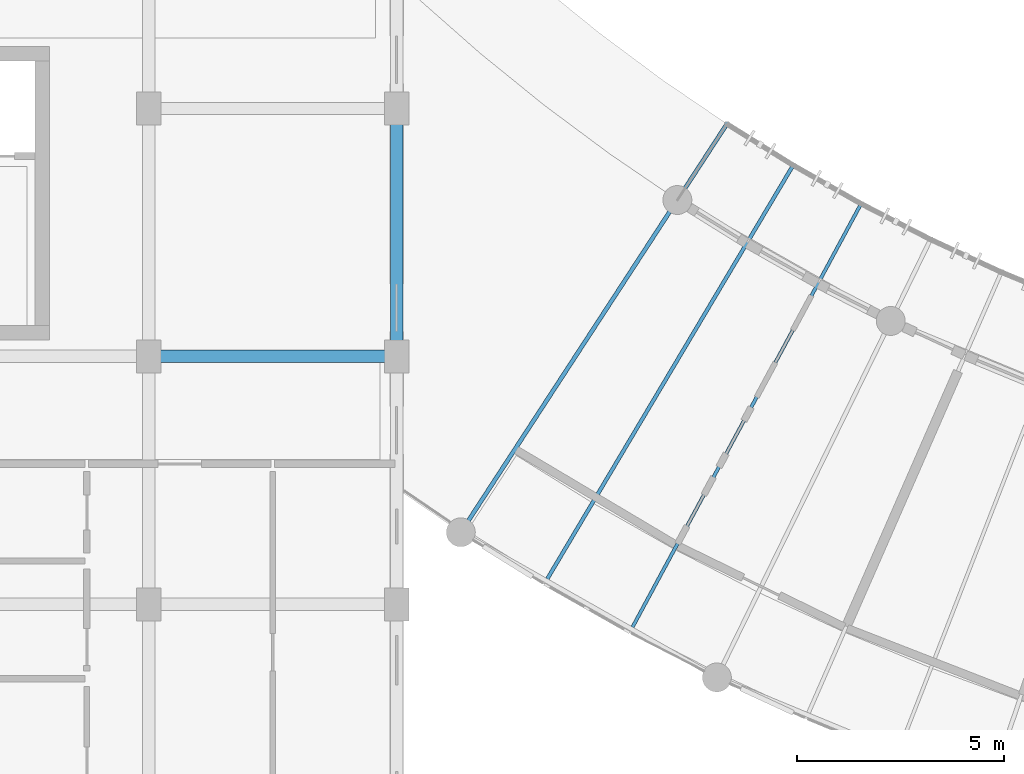
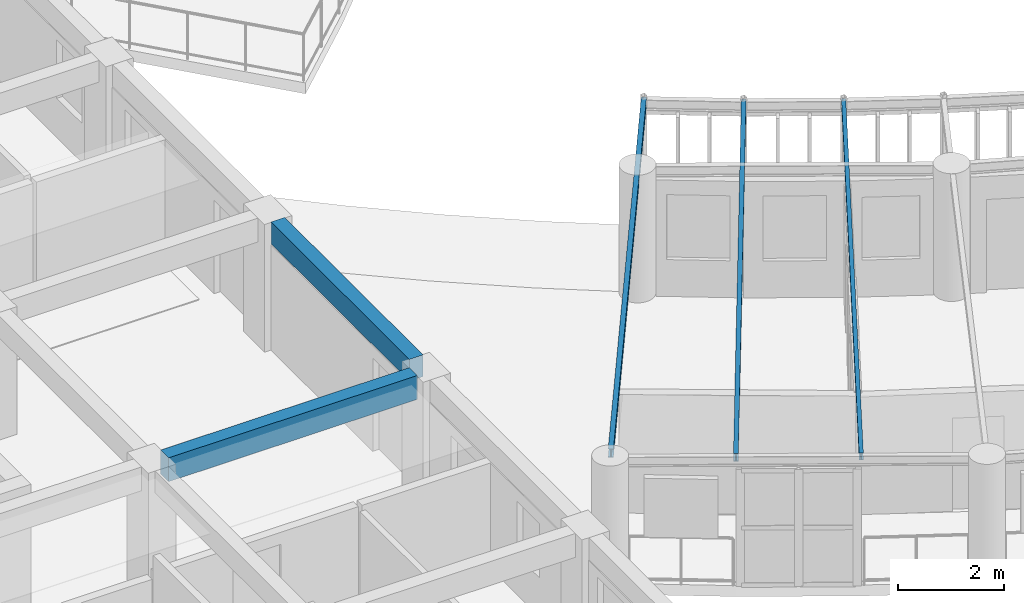
# One storey, part 17 of 137: 5 beams.
"""IFC4 building model written with IfcOpenShell, lengths in metres."""

from ifc_helpers import new_model, si_unit, direction, frame, origin, origin_2d, place, context, subcontext, project, spatial, rectangle, i_section, extrude, material, material_profile, profile_set, type_object, element, save


model = new_model("IFC4")

# Units and contexts
model_context = context("Model", 3, precision=1e-05, world=origin(), true_north=direction((0.0, 1.0)))
body_context = subcontext(model_context, "Body", "Model", "MODEL_VIEW")
ifc_project = project(units=[si_unit("LENGTHUNIT", "METRE"), si_unit("AREAUNIT", "SQUARE_METRE"), si_unit("VOLUMEUNIT", "CUBIC_METRE"), si_unit("PLANEANGLEUNIT", "RADIAN"), si_unit("MASSUNIT", "GRAM", prefix="KILO"), si_unit("POWERUNIT", "WATT"), si_unit("THERMODYNAMICTEMPERATUREUNIT", "KELVIN")], contexts=[model_context])

# Site, building, storey
site_placement = place(None, origin())
site = spatial("IfcSite", under=ifc_project, at=site_placement, CompositionType="ELEMENT")
building_placement = place(site_placement, origin())
building = spatial("IfcBuilding", under=site, at=building_placement, Name="Ruvembo Vaulted Housing Court", CompositionType="ELEMENT")
storey_placement = place(building_placement, frame((0.0, 0.0, 4.5)))
storey = spatial("IfcBuildingStorey", under=building, at=storey_placement, Name="L01", CompositionType="ELEMENT", Elevation=4.5)

# Beams
ifc_material_1 = material(Name="Concrete C35/45", Category="concrete")
ifc_material_profile_1 = material_profile(ifc_material_1, rectangle(XDim=0.300048828125, YDim=0.550048828125, at=origin_2d()), Name="RC 300x550")
ifc_profile_set_1 = profile_set([ifc_material_profile_1], Name="Concrete C35/45")
beam_type_1 = type_object("IfcBeamType", Name="BM-RC-300x550", PredefinedType="BEAM", material=ifc_profile_set_1)
beam_1_placement = place(storey_placement, frame((30.284912109375, 18.0, 2.669921875), z_axis=(1.0, 0.0, 0.0), x_axis=(0.0, 1.0, 0.0)))
element("IfcBeam", 1, at=beam_1_placement, inside=storey, type_object=beam_type_1, Name="L01 Grid Beam X #1171", PredefinedType="BEAM", context=body_context, shape_type="SweptSolid", body=[
    extrude(rectangle(XDim=0.300048828125, YDim=0.550048828125, at=origin_2d()), origin(), (0.0, 0.0, 1.0), 5.43017578125),
])
ifc_material_2 = material(Name="Steel S355J2", Category="steel")
ifc_material_profile_2 = material_profile(ifc_material_2, i_section(OverallWidth=0.08203125, OverallDepth=0.159912109375, WebThickness=0.0048828125, FlangeThickness=0.00732421875, FilletRadius=0.009033203125, at=origin_2d()), Name="IPE 160")
ifc_profile_set_2 = profile_set([ifc_material_profile_2], Name="Steel S355J2")
beam_type_2 = type_object("IfcBeamType", Name="BM-ST-IPE160", PredefinedType="JOIST", material=ifc_profile_set_2)
beam_2_placement = place(storey_placement, frame((41.70654296875, 11.445068359375, 2.860107421875), z_axis=(0.475065815037, 0.879950266426, 0.0), x_axis=(-0.879950266426, 0.475065815037, 0.0)))
element("IfcBeam", 2, at=beam_2_placement, inside=storey, type_object=beam_type_2, Name="Scoop SC2 L01 Radial Steel Joist 2", PredefinedType="JOIST", context=body_context, shape_type="SweptSolid", body=[
    extrude(i_section(OverallWidth=0.08203125, OverallDepth=0.159912109375, WebThickness=0.0048828125, FlangeThickness=0.00732421875, FilletRadius=0.009033203125, at=origin_2d()), origin(), (0.0, 0.0, 1.0), 11.69189453125),
])
ifc_material_profile_3 = material_profile(ifc_material_2, i_section(OverallWidth=0.091064453125, OverallDepth=0.179931640625, WebThickness=0.00537109375, FlangeThickness=0.008056640625, FilletRadius=0.009033203125, at=origin_2d()), Name="IPE 180")
ifc_profile_set_3 = profile_set([ifc_material_profile_3], Name="Steel S355J2")
beam_type_3 = type_object("IfcBeamType", Name="BM-ST-IPE180", PredefinedType="JOIST", material=ifc_profile_set_3)
beam_3_placement = place(storey_placement, frame((39.644775390625, 12.61376953125, 2.85009765625), z_axis=(0.51095697622, 0.859606286885, 0.0), x_axis=(-0.859606286885, 0.51095697622, 0.0)))
element("IfcBeam", 3, at=beam_3_placement, inside=storey, type_object=beam_type_3, Name="Scoop SC2 L01 Radial Steel Joist 1", PredefinedType="JOIST", context=body_context, shape_type="SweptSolid", body=[
    extrude(i_section(OverallWidth=0.091064453125, OverallDepth=0.179931640625, WebThickness=0.00537109375, FlangeThickness=0.008056640625, FilletRadius=0.009033203125, at=origin_2d()), origin(), (0.0, 0.0, 1.0), 11.692138671875),
])
ifc_material_profile_4 = material_profile(ifc_material_2, i_section(OverallWidth=0.10009765625, OverallDepth=0.199951171875, WebThickness=0.005615234375, FlangeThickness=0.008544921875, FilletRadius=0.011962890625, at=origin_2d()), Name="IPE 200")
ifc_profile_set_4 = profile_set([ifc_material_profile_4], Name="Steel S355J2")
beam_type_4 = type_object("IfcBeamType", Name="BM-ST-IPE200", PredefinedType="BEAM", material=ifc_profile_set_4)
beam_4_placement = place(storey_placement, frame((37.677734375, 13.93505859375, 2.840087890625), z_axis=(0.545959206746, 0.837811759627, 0.0), x_axis=(-0.837811759627, 0.545959206746, 0.0)))
element("IfcBeam", 4, at=beam_4_placement, inside=storey, type_object=beam_type_4, Name="Scoop SC2 L01 Radial Steel Joist 0", PredefinedType="BEAM", context=body_context, shape_type="SweptSolid", body=[
    extrude(i_section(OverallWidth=0.10009765625, OverallDepth=0.199951171875, WebThickness=0.005615234375, FlangeThickness=0.008544921875, FilletRadius=0.011962890625, at=origin_2d()), origin(), (0.0, 0.0, 1.0), 11.610107421875),
])
ifc_material_profile_5 = material_profile(ifc_material_1, rectangle(XDim=0.300048828125, YDim=0.5, at=origin_2d()), Name="RC 300x500")
ifc_profile_set_5 = profile_set([ifc_material_profile_5], Name="Concrete C35/45")
beam_type_5 = type_object("IfcBeamType", Name="SP-RC-300x500", PredefinedType="SPANDREL", material=ifc_profile_set_5)
beam_5_placement = place(storey_placement, frame((36.0, 18.385009765625, 2.695068359375), z_axis=(0.0, 1.0, 0.0), x_axis=(-1.0, 0.0, 0.0)))
element("IfcBeam", 5, at=beam_5_placement, inside=storey, type_object=beam_type_5, Name="L01 Grid Beam Y #1339", PredefinedType="SPANDREL", context=body_context, shape_type="SweptSolid", body=[
    extrude(rectangle(XDim=0.300048828125, YDim=0.5, at=origin_2d()), origin(), (0.0, 0.0, 1.0), 5.22998046875),
])

save(model, "model.ifc")
